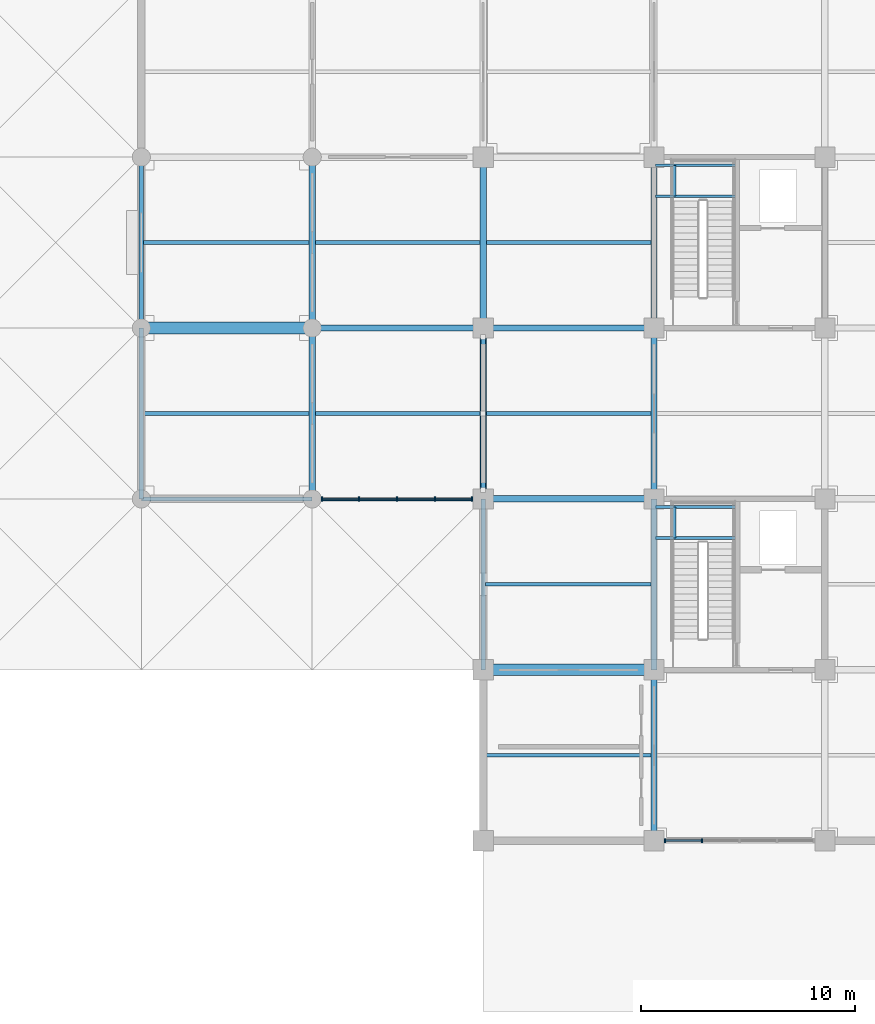
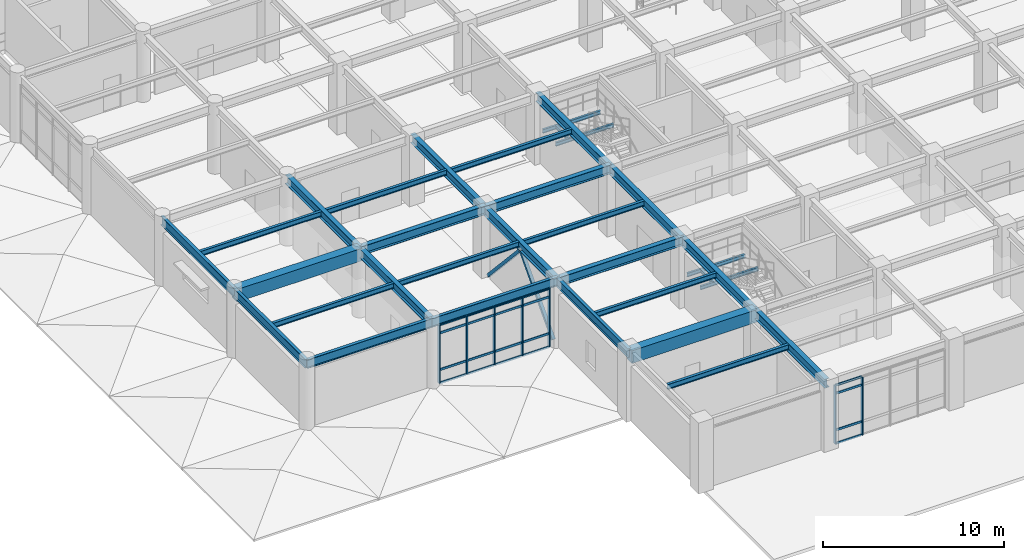
# One storey, part 8 of 109: 32 beams, 29 members, 2 elements without a shape of their own.
"""IFC4 building model written with IfcOpenShell, lengths in metres."""

from ifc_helpers import new_model, si_unit, direction, frame, origin, origin_2d, place, context, subcontext, project, spatial, rectangle, hollow_rectangle, i_section, extrude, material, layer, layer_set, material_profile, profile_set, type_object, element, aggregate, save


model = new_model("IFC4")

# Units and contexts
model_context = context("Model", 3, precision=1e-05, world=origin(), true_north=direction((0.0, 1.0)))
body_context = subcontext(model_context, "Body", "Model", "MODEL_VIEW")
ifc_project = project(units=[si_unit("LENGTHUNIT", "METRE"), si_unit("AREAUNIT", "SQUARE_METRE"), si_unit("VOLUMEUNIT", "CUBIC_METRE"), si_unit("PLANEANGLEUNIT", "RADIAN"), si_unit("MASSUNIT", "GRAM", prefix="KILO")], contexts=[model_context])

# Site, building, storey
site_placement = place(None, origin())
site = spatial("IfcSite", under=ifc_project, at=site_placement, CompositionType="ELEMENT")
building_placement = place(site_placement, origin())
building = spatial("IfcBuilding", under=site, at=building_placement, Name="Haebicheon Civic Stadium", CompositionType="ELEMENT")
storey_placement = place(building_placement, frame((0.0, 0.0, 9.60009765625)))
storey = spatial("IfcBuildingStorey", under=building, at=storey_placement, Name="L03", CompositionType="ELEMENT", Elevation=9.60009765625)

# Beams
ifc_material_1 = material(Name="Concrete C40/50", Category="concrete")
ifc_material_profile_1 = material_profile(ifc_material_1, rectangle(XDim=0.550048828125, YDim=0.85009765625, at=origin_2d()), Name="RC-BM-550x850")
ifc_profile_set_1 = profile_set([ifc_material_profile_1], Name="Concrete C40/50")
beam_type_1 = type_object("IfcBeamType", Name="BM-RC-550x850", PredefinedType="BEAM", material=ifc_profile_set_1)
for number, where, z_axis, x_axis, name in (
    (1, (8.0, 56.0, 4.15478515625), (1.0, 0.0, 0.0), (0.0, 1.0, 0.0), "L03 beam H/2-3"),
    (2, (24.0, 40.0, 4.114990234375), (1.0, 0.0, 0.0), (0.0, 1.0, 0.0), "L03 beam F/4-5"),
):
    element("IfcBeam", number, at=place(storey_placement, frame(where, z_axis=z_axis, x_axis=x_axis)), inside=storey, type_object=beam_type_1, material=ifc_profile_set_1, Name=name, PredefinedType="BEAM", context=body_context, shape_type="SweptSolid", body=[
        extrude(rectangle(XDim=0.550048828125, YDim=0.85009765625, at=origin_2d()), origin(), (0.0, 0.0, 1.0), 8.0),
    ])
ifc_material_2 = material(Name="Steel SM355 (S355)", Category="steel")
ifc_material_profile_2 = material_profile(ifc_material_2, i_section(OverallWidth=0.300048828125, OverallDepth=0.60009765625, WebThickness=0.011962890625, FlangeThickness=0.02001953125, at=origin_2d()), Name="H-600x300x12x20")
ifc_profile_set_2 = profile_set([ifc_material_profile_2], Name="Steel SM355 (S355)")
beam_type_2 = type_object("IfcBeamType", Name="BM-ST-H600A", PredefinedType="BEAM", material=ifc_profile_set_2)
for number, where, z_axis, x_axis, name in (
    (3, (16.0, 48.0, 4.27978515625), (0.0, 1.0, 0.0), (-1.0, 0.0, 0.0), "L03 girder 3/G-H"),
    (4, (16.0, 56.0, 4.27978515625), (0.0, 1.0, 0.0), (-1.0, 0.0, 0.0), "L03 girder 3/H-J"),
    (5, (24.0, 48.0, 4.239990234375), (0.0, 1.0, 0.0), (-1.0, 0.0, 0.0), "L03 girder 4/G-H"),
    (6, (24.0, 56.0, 4.239990234375), (0.0, 1.0, 0.0), (-1.0, 0.0, 0.0), "L03 girder 4/H-J"),
    (7, (32.0, 32.0, 4.239990234375), (0.0, 1.0, 0.0), (-1.0, 0.0, 0.0), "L03 girder 5/E-F"),
    (8, (32.0, 40.0, 4.239990234375), (0.0, 1.0, 0.0), (-1.0, 0.0, 0.0), "L03 girder 5/F-G"),
    (9, (32.0, 48.0, 4.239990234375), (0.0, 1.0, 0.0), (-1.0, 0.0, 0.0), "L03 girder 5/G-H"),
    (10, (32.0, 56.0, 4.239990234375), (0.0, 1.0, 0.0), (-1.0, 0.0, 0.0), "L03 girder 5/H-J"),
    (11, (16.0, 56.0, 4.27978515625), (1.0, 0.0, 0.0), (0.0, 1.0, 0.0), "L03 beam H/3-4"),
    (12, (24.0, 48.0, 4.239990234375), (1.0, 0.0, 0.0), (0.0, 1.0, 0.0), "L03 beam G/4-5"),
    (13, (24.0, 56.0, 4.239990234375), (1.0, 0.0, 0.0), (0.0, 1.0, 0.0), "L03 beam H/4-5"),
):
    element("IfcBeam", number, at=place(storey_placement, frame(where, z_axis=z_axis, x_axis=x_axis)), inside=storey, type_object=beam_type_2, material=ifc_profile_set_2, Name=name, PredefinedType="BEAM", context=body_context, shape_type="SweptSolid", body=[
        extrude(i_section(OverallWidth=0.300048828125, OverallDepth=0.60009765625, WebThickness=0.011962890625, FlangeThickness=0.02001953125, at=origin_2d()), origin(), (0.0, 0.0, 1.0), 8.0),
    ])

# Members
ifc_material_3 = material(Name="Steel SM355 (S355)", Category="steel")
ifc_material_profile_3 = material_profile(ifc_material_3, hollow_rectangle(XDim=0.199951171875, YDim=0.199951171875, WallThickness=0.009033203125, at=origin_2d()), Name="RHS-200x200x9.0")
ifc_profile_set_3 = profile_set([ifc_material_profile_3], Name="Steel SM355 (S355)")
member_type_1 = type_object("IfcMemberType", Name="BRC-RHS200", PredefinedType="BRACE", material=ifc_profile_set_3)
for number, where, z_axis, x_axis, name in (
    (14, (24.0, 48.419921875, 0.039794921875), (0.0, 0.676231908598, 0.736688812046), (-1.0, 0.0, 0.0), "BR200 chevron brace L03 03-06 A"),
    (15, (24.0, 55.580078125, 0.039794921875), (0.0, -0.676231908598, 0.736688812046), (1.0, 0.0, 0.0), "BR200 chevron brace L03 03-06 B"),
):
    element("IfcMember", number, at=place(storey_placement, frame(where, z_axis=z_axis, x_axis=x_axis)), inside=storey, type_object=member_type_1, material=ifc_profile_set_3, Name=name, PredefinedType="BRACE", context=body_context, shape_type="SweptSolid", body=[
        extrude(hollow_rectangle(XDim=0.199951171875, YDim=0.199951171875, WallThickness=0.009033203125, at=origin_2d()), origin(), (0.0, 0.0, 1.0), 5.294189453125),
    ])

# Curtain wall, members
ifc_material_4 = material(Name="Anodised aluminium and laminated glass", Category="aluminium")
ifc_layer_1 = layer(ifc_material_4, 0.179931640625, Name="Anodised aluminium and laminated glass")
ifc_layer_set_1 = layer_set([ifc_layer_1], Name="Anodised aluminium and laminated glass")
curtain_wall_type_1 = type_object("IfcCurtainWallType", Name="CW-7100x3930", PredefinedType="NOTDEFINED", material=ifc_layer_set_1)
curtain_wall_1_placement = place(storey_placement, origin())
curtain_wall_1 = element("IfcCurtainWall", 16, at=curtain_wall_1_placement, inside=storey, type_object=curtain_wall_type_1, material=ifc_layer_set_1, Name="L03 unitised curtain wall 072", PredefinedType="NOTDEFINED")
ifc_material_5 = material(Name="Anodised aluminium 6063-T6", Category="aluminium")
ifc_material_profile_4 = material_profile(ifc_material_5, rectangle(XDim=0.070068359375, YDim=0.199951171875, at=origin_2d()), Name="ALU-MULL-70x200")
ifc_profile_set_4 = profile_set([ifc_material_profile_4], Name="Anodised aluminium 6063-T6")
member_type_2 = type_object("IfcMemberType", Name="CWM-200x70", PredefinedType="MULLION", material=ifc_profile_set_4)
member_1_placement = place(storey_placement, frame((16.4599609375, 48.0, 0.0), z_axis=(0.0, 0.0, 1.0), x_axis=(1.0, 0.0, 0.0)))
member_1 = element("IfcMember", 17, at=member_1_placement, type_object=member_type_2, material=ifc_profile_set_4, Name="CW-L03-072 vertical mullion 1", PredefinedType="MULLION", context=body_context, shape_type="SweptSolid", body=[
    extrude(rectangle(XDim=0.070068359375, YDim=0.199951171875, at=origin_2d()), origin(), (0.0, 0.0, 1.0), 3.929931640625),
])
member_2_placement = place(storey_placement, frame((18.199951171875, 48.0, 0.0), z_axis=(0.0, 0.0, 1.0), x_axis=(1.0, 0.0, 0.0)))
member_2 = element("IfcMember", 18, at=member_2_placement, type_object=member_type_2, material=ifc_profile_set_4, Name="CW-L03-072 vertical mullion 2", PredefinedType="MULLION", context=body_context, shape_type="SweptSolid", body=[
    extrude(rectangle(XDim=0.070068359375, YDim=0.199951171875, at=origin_2d()), origin(), (0.0, 0.0, 1.0), 3.929931640625),
])
member_3_placement = place(storey_placement, frame((19.97509765625, 48.0, 0.0), z_axis=(0.0, 0.0, 1.0), x_axis=(1.0, 0.0, 0.0)))
member_3 = element("IfcMember", 19, at=member_3_placement, type_object=member_type_2, material=ifc_profile_set_4, Name="CW-L03-072 vertical mullion 3", PredefinedType="MULLION", context=body_context, shape_type="SweptSolid", body=[
    extrude(rectangle(XDim=0.070068359375, YDim=0.199951171875, at=origin_2d()), origin(), (0.0, 0.0, 1.0), 3.929931640625),
])
member_4_placement = place(storey_placement, frame((21.75, 48.0, 0.0), z_axis=(0.0, 0.0, 1.0), x_axis=(1.0, 0.0, 0.0)))
member_4 = element("IfcMember", 20, at=member_4_placement, type_object=member_type_2, material=ifc_profile_set_4, Name="CW-L03-072 vertical mullion 4", PredefinedType="MULLION", context=body_context, shape_type="SweptSolid", body=[
    extrude(rectangle(XDim=0.070068359375, YDim=0.199951171875, at=origin_2d()), origin(), (0.0, 0.0, 1.0), 3.929931640625),
])
member_5_placement = place(storey_placement, frame((23.489990234375, 48.0, 0.0), z_axis=(0.0, 0.0, 1.0), x_axis=(1.0, 0.0, 0.0)))
member_5 = element("IfcMember", 21, at=member_5_placement, type_object=member_type_2, material=ifc_profile_set_4, Name="CW-L03-072 vertical mullion 5", PredefinedType="MULLION", context=body_context, shape_type="SweptSolid", body=[
    extrude(rectangle(XDim=0.070068359375, YDim=0.199951171875, at=origin_2d()), origin(), (0.0, 0.0, 1.0), 3.929931640625),
])

ifc_material_6 = material(Name="Anodised aluminium and laminated glass", Category="aluminium")
ifc_layer_2 = layer(ifc_material_6, 0.179931640625, Name="Anodised aluminium and laminated glass")
ifc_layer_set_2 = layer_set([ifc_layer_2], Name="Anodised aluminium and laminated glass")
curtain_wall_type_2 = type_object("IfcCurtainWallType", Name="CW-7050x3930", PredefinedType="NOTDEFINED", material=ifc_layer_set_2)
curtain_wall_2_placement = place(storey_placement, origin())
curtain_wall_2 = element("IfcCurtainWall", 22, at=curtain_wall_2_placement, inside=storey, type_object=curtain_wall_type_2, material=ifc_layer_set_2, Name="L03 unitised curtain wall 074", PredefinedType="NOTDEFINED")
member_6_placement = place(storey_placement, frame((32.510009765625, 32.0, 0.0), z_axis=(0.0, 0.0, 1.0), x_axis=(1.0, 0.0, 0.0)))
member_6 = element("IfcMember", 23, at=member_6_placement, type_object=member_type_2, material=ifc_profile_set_4, Name="CW-L03-074 vertical mullion 1", PredefinedType="MULLION", context=body_context, shape_type="SweptSolid", body=[
    extrude(rectangle(XDim=0.070068359375, YDim=0.199951171875, at=origin_2d()), origin(), (0.0, 0.0, 1.0), 3.929931640625),
])
member_7_placement = place(storey_placement, frame((34.237060546875, 32.0, 0.0), z_axis=(0.0, 0.0, 1.0), x_axis=(1.0, 0.0, 0.0)))
member_7 = element("IfcMember", 24, at=member_7_placement, type_object=member_type_2, material=ifc_profile_set_4, Name="CW-L03-074 vertical mullion 2", PredefinedType="MULLION", context=body_context, shape_type="SweptSolid", body=[
    extrude(rectangle(XDim=0.070068359375, YDim=0.199951171875, at=origin_2d()), origin(), (0.0, 0.0, 1.0), 3.929931640625),
])

# Member
ifc_material_7 = material(Name="Anodised aluminium 6063-T6", Category="aluminium")
ifc_material_profile_5 = material_profile(ifc_material_7, rectangle(XDim=0.070068359375, YDim=0.14990234375, at=origin_2d()), Name="ALU-TRAN-70x150")
ifc_profile_set_5 = profile_set([ifc_material_profile_5], Name="Anodised aluminium 6063-T6")
member_type_3 = type_object("IfcMemberType", Name="CWT-150x70", PredefinedType="NOTDEFINED", material=ifc_profile_set_5)
member_8_placement = place(storey_placement, frame((16.4951171875, 48.0, 0.0), z_axis=(1.0, 0.0, 0.0), x_axis=(0.0, 1.0, 0.0)))
member_8 = element("IfcMember", 25, at=member_8_placement, type_object=member_type_3, material=ifc_profile_set_5, Name="CW-L03-072 horizontal transom 1.1", ObjectType="TRANSOM", PredefinedType="USERDEFINED", context=body_context, shape_type="SweptSolid", body=[
    extrude(rectangle(XDim=0.070068359375, YDim=0.14990234375, at=origin_2d()), origin(), (0.0, 0.0, 1.0), 1.669921875),
])

member_9_placement = place(storey_placement, frame((16.4951171875, 48.0, 0.89990234375), z_axis=(1.0, 0.0, 0.0), x_axis=(0.0, 1.0, 0.0)))
member_9 = element("IfcMember", 26, at=member_9_placement, type_object=member_type_3, material=ifc_profile_set_5, Name="CW-L03-072 horizontal transom 1.2", ObjectType="TRANSOM", PredefinedType="USERDEFINED", context=body_context, shape_type="SweptSolid", body=[
    extrude(rectangle(XDim=0.070068359375, YDim=0.14990234375, at=origin_2d()), origin(), (0.0, 0.0, 1.0), 1.669921875),
])

member_10_placement = place(storey_placement, frame((16.4951171875, 48.0, 3.3798828125), z_axis=(1.0, 0.0, 0.0), x_axis=(0.0, 1.0, 0.0)))
member_10 = element("IfcMember", 27, at=member_10_placement, type_object=member_type_3, material=ifc_profile_set_5, Name="CW-L03-072 horizontal transom 1.3", ObjectType="TRANSOM", PredefinedType="USERDEFINED", context=body_context, shape_type="SweptSolid", body=[
    extrude(rectangle(XDim=0.070068359375, YDim=0.14990234375, at=origin_2d()), origin(), (0.0, 0.0, 1.0), 1.669921875),
])

member_11_placement = place(storey_placement, frame((16.4951171875, 48.0, 3.929931640625), z_axis=(1.0, 0.0, 0.0), x_axis=(0.0, 1.0, 0.0)))
member_11 = element("IfcMember", 28, at=member_11_placement, type_object=member_type_3, material=ifc_profile_set_5, Name="CW-L03-072 horizontal transom 1.4", ObjectType="TRANSOM", PredefinedType="USERDEFINED", context=body_context, shape_type="SweptSolid", body=[
    extrude(rectangle(XDim=0.070068359375, YDim=0.14990234375, at=origin_2d()), origin(), (0.0, 0.0, 1.0), 1.669921875),
])

member_12_placement = place(storey_placement, frame((18.235107421875, 48.0, 0.0), z_axis=(1.0, 0.0, 0.0), x_axis=(0.0, 1.0, 0.0)))
member_12 = element("IfcMember", 29, at=member_12_placement, type_object=member_type_3, material=ifc_profile_set_5, Name="CW-L03-072 horizontal transom 2.1", ObjectType="TRANSOM", PredefinedType="USERDEFINED", context=body_context, shape_type="SweptSolid", body=[
    extrude(rectangle(XDim=0.070068359375, YDim=0.14990234375, at=origin_2d()), origin(), (0.0, 0.0, 1.0), 1.704833984375),
])

member_13_placement = place(storey_placement, frame((18.235107421875, 48.0, 0.89990234375), z_axis=(1.0, 0.0, 0.0), x_axis=(0.0, 1.0, 0.0)))
member_13 = element("IfcMember", 30, at=member_13_placement, type_object=member_type_3, material=ifc_profile_set_5, Name="CW-L03-072 horizontal transom 2.2", ObjectType="TRANSOM", PredefinedType="USERDEFINED", context=body_context, shape_type="SweptSolid", body=[
    extrude(rectangle(XDim=0.070068359375, YDim=0.14990234375, at=origin_2d()), origin(), (0.0, 0.0, 1.0), 1.704833984375),
])

member_14_placement = place(storey_placement, frame((18.235107421875, 48.0, 3.3798828125), z_axis=(1.0, 0.0, 0.0), x_axis=(0.0, 1.0, 0.0)))
member_14 = element("IfcMember", 31, at=member_14_placement, type_object=member_type_3, material=ifc_profile_set_5, Name="CW-L03-072 horizontal transom 2.3", ObjectType="TRANSOM", PredefinedType="USERDEFINED", context=body_context, shape_type="SweptSolid", body=[
    extrude(rectangle(XDim=0.070068359375, YDim=0.14990234375, at=origin_2d()), origin(), (0.0, 0.0, 1.0), 1.704833984375),
])

member_15_placement = place(storey_placement, frame((18.235107421875, 48.0, 3.929931640625), z_axis=(1.0, 0.0, 0.0), x_axis=(0.0, 1.0, 0.0)))
member_15 = element("IfcMember", 32, at=member_15_placement, type_object=member_type_3, material=ifc_profile_set_5, Name="CW-L03-072 horizontal transom 2.4", ObjectType="TRANSOM", PredefinedType="USERDEFINED", context=body_context, shape_type="SweptSolid", body=[
    extrude(rectangle(XDim=0.070068359375, YDim=0.14990234375, at=origin_2d()), origin(), (0.0, 0.0, 1.0), 1.704833984375),
])

member_16_placement = place(storey_placement, frame((20.010009765625, 48.0, 0.0), z_axis=(1.0, 0.0, 0.0), x_axis=(0.0, 1.0, 0.0)))
member_16 = element("IfcMember", 33, at=member_16_placement, type_object=member_type_3, material=ifc_profile_set_5, Name="CW-L03-072 horizontal transom 3.1", ObjectType="TRANSOM", PredefinedType="USERDEFINED", context=body_context, shape_type="SweptSolid", body=[
    extrude(rectangle(XDim=0.070068359375, YDim=0.14990234375, at=origin_2d()), origin(), (0.0, 0.0, 1.0), 1.705078125),
])

member_17_placement = place(storey_placement, frame((20.010009765625, 48.0, 0.89990234375), z_axis=(1.0, 0.0, 0.0), x_axis=(0.0, 1.0, 0.0)))
member_17 = element("IfcMember", 34, at=member_17_placement, type_object=member_type_3, material=ifc_profile_set_5, Name="CW-L03-072 horizontal transom 3.2", ObjectType="TRANSOM", PredefinedType="USERDEFINED", context=body_context, shape_type="SweptSolid", body=[
    extrude(rectangle(XDim=0.070068359375, YDim=0.14990234375, at=origin_2d()), origin(), (0.0, 0.0, 1.0), 1.705078125),
])

member_18_placement = place(storey_placement, frame((20.010009765625, 48.0, 3.3798828125), z_axis=(1.0, 0.0, 0.0), x_axis=(0.0, 1.0, 0.0)))
member_18 = element("IfcMember", 35, at=member_18_placement, type_object=member_type_3, material=ifc_profile_set_5, Name="CW-L03-072 horizontal transom 3.3", ObjectType="TRANSOM", PredefinedType="USERDEFINED", context=body_context, shape_type="SweptSolid", body=[
    extrude(rectangle(XDim=0.070068359375, YDim=0.14990234375, at=origin_2d()), origin(), (0.0, 0.0, 1.0), 1.705078125),
])

member_19_placement = place(storey_placement, frame((20.010009765625, 48.0, 3.929931640625), z_axis=(1.0, 0.0, 0.0), x_axis=(0.0, 1.0, 0.0)))
member_19 = element("IfcMember", 36, at=member_19_placement, type_object=member_type_3, material=ifc_profile_set_5, Name="CW-L03-072 horizontal transom 3.4", ObjectType="TRANSOM", PredefinedType="USERDEFINED", context=body_context, shape_type="SweptSolid", body=[
    extrude(rectangle(XDim=0.070068359375, YDim=0.14990234375, at=origin_2d()), origin(), (0.0, 0.0, 1.0), 1.705078125),
])

member_20_placement = place(storey_placement, frame((21.784912109375, 48.0, 0.0), z_axis=(1.0, 0.0, 0.0), x_axis=(0.0, 1.0, 0.0)))
member_20 = element("IfcMember", 37, at=member_20_placement, type_object=member_type_3, material=ifc_profile_set_5, Name="CW-L03-072 horizontal transom 4.1", ObjectType="TRANSOM", PredefinedType="USERDEFINED", context=body_context, shape_type="SweptSolid", body=[
    extrude(rectangle(XDim=0.070068359375, YDim=0.14990234375, at=origin_2d()), origin(), (0.0, 0.0, 1.0), 1.670166015625),
])

member_21_placement = place(storey_placement, frame((21.784912109375, 48.0, 0.89990234375), z_axis=(1.0, 0.0, 0.0), x_axis=(0.0, 1.0, 0.0)))
member_21 = element("IfcMember", 38, at=member_21_placement, type_object=member_type_3, material=ifc_profile_set_5, Name="CW-L03-072 horizontal transom 4.2", ObjectType="TRANSOM", PredefinedType="USERDEFINED", context=body_context, shape_type="SweptSolid", body=[
    extrude(rectangle(XDim=0.070068359375, YDim=0.14990234375, at=origin_2d()), origin(), (0.0, 0.0, 1.0), 1.670166015625),
])

member_22_placement = place(storey_placement, frame((21.784912109375, 48.0, 3.3798828125), z_axis=(1.0, 0.0, 0.0), x_axis=(0.0, 1.0, 0.0)))
member_22 = element("IfcMember", 39, at=member_22_placement, type_object=member_type_3, material=ifc_profile_set_5, Name="CW-L03-072 horizontal transom 4.3", ObjectType="TRANSOM", PredefinedType="USERDEFINED", context=body_context, shape_type="SweptSolid", body=[
    extrude(rectangle(XDim=0.070068359375, YDim=0.14990234375, at=origin_2d()), origin(), (0.0, 0.0, 1.0), 1.670166015625),
])

member_23_placement = place(storey_placement, frame((21.784912109375, 48.0, 3.929931640625), z_axis=(1.0, 0.0, 0.0), x_axis=(0.0, 1.0, 0.0)))
member_23 = element("IfcMember", 40, at=member_23_placement, type_object=member_type_3, material=ifc_profile_set_5, Name="CW-L03-072 horizontal transom 4.4", ObjectType="TRANSOM", PredefinedType="USERDEFINED", context=body_context, shape_type="SweptSolid", body=[
    extrude(rectangle(XDim=0.070068359375, YDim=0.14990234375, at=origin_2d()), origin(), (0.0, 0.0, 1.0), 1.670166015625),
])

aggregate(curtain_wall_1, [member_1, member_2, member_3, member_4, member_5, member_8, member_9, member_10, member_11, member_12, member_13, member_14, member_15, member_16, member_17, member_18, member_19, member_20, member_21, member_22, member_23])

member_24_placement = place(storey_placement, frame((32.544921875, 32.0, 0.0), z_axis=(1.0, 0.0, 0.0), x_axis=(0.0, 1.0, 0.0)))
member_24 = element("IfcMember", 41, at=member_24_placement, type_object=member_type_3, material=ifc_profile_set_5, Name="CW-L03-074 horizontal transom 1.1", ObjectType="TRANSOM", PredefinedType="USERDEFINED", context=body_context, shape_type="SweptSolid", body=[
    extrude(rectangle(XDim=0.070068359375, YDim=0.14990234375, at=origin_2d()), origin(), (0.0, 0.0, 1.0), 1.656982421875),
])

member_25_placement = place(storey_placement, frame((32.544921875, 32.0, 0.89990234375), z_axis=(1.0, 0.0, 0.0), x_axis=(0.0, 1.0, 0.0)))
member_25 = element("IfcMember", 42, at=member_25_placement, type_object=member_type_3, material=ifc_profile_set_5, Name="CW-L03-074 horizontal transom 1.2", ObjectType="TRANSOM", PredefinedType="USERDEFINED", context=body_context, shape_type="SweptSolid", body=[
    extrude(rectangle(XDim=0.070068359375, YDim=0.14990234375, at=origin_2d()), origin(), (0.0, 0.0, 1.0), 1.656982421875),
])

member_26_placement = place(storey_placement, frame((32.544921875, 32.0, 3.3798828125), z_axis=(1.0, 0.0, 0.0), x_axis=(0.0, 1.0, 0.0)))
member_26 = element("IfcMember", 43, at=member_26_placement, type_object=member_type_3, material=ifc_profile_set_5, Name="CW-L03-074 horizontal transom 1.3", ObjectType="TRANSOM", PredefinedType="USERDEFINED", context=body_context, shape_type="SweptSolid", body=[
    extrude(rectangle(XDim=0.070068359375, YDim=0.14990234375, at=origin_2d()), origin(), (0.0, 0.0, 1.0), 1.656982421875),
])

member_27_placement = place(storey_placement, frame((32.544921875, 32.0, 3.929931640625), z_axis=(1.0, 0.0, 0.0), x_axis=(0.0, 1.0, 0.0)))
member_27 = element("IfcMember", 44, at=member_27_placement, type_object=member_type_3, material=ifc_profile_set_5, Name="CW-L03-074 horizontal transom 1.4", ObjectType="TRANSOM", PredefinedType="USERDEFINED", context=body_context, shape_type="SweptSolid", body=[
    extrude(rectangle(XDim=0.070068359375, YDim=0.14990234375, at=origin_2d()), origin(), (0.0, 0.0, 1.0), 1.656982421875),
])

aggregate(curtain_wall_2, [member_6, member_7, member_24, member_25, member_26, member_27])

# Beams
ifc_material_8 = material(Name="Steel SM355 (S355)", Category="steel")
ifc_material_profile_6 = material_profile(ifc_material_8, i_section(OverallWidth=0.125, OverallDepth=0.25, WebThickness=0.006103515625, FlangeThickness=0.009033203125, at=origin_2d()), Name="H-250x125x6x9")
ifc_profile_set_6 = profile_set([ifc_material_profile_6], Name="Steel SM355 (S355)")
beam_type_3 = type_object("IfcBeamType", Name="JST-ST-H250", PredefinedType="JOIST", material=ifc_profile_set_6)
for number, where, z_axis, x_axis, name in (
    (45, (32.080078125, 46.169921875, 2.072021484375), (1.0, 0.0, 0.0), (0.0, 1.0, 0.0), "KC-01 L03 stair half-landing front trimmer beam"),
    (46, (32.080078125, 47.6201171875, 2.072021484375), (1.0, 0.0, 0.0), (0.0, 1.0, 0.0), "KC-01 L03 stair half-landing rear trimmer beam"),
):
    element("IfcBeam", number, at=place(storey_placement, frame(where, z_axis=z_axis, x_axis=x_axis)), inside=storey, type_object=beam_type_3, material=ifc_profile_set_6, Name=name, PredefinedType="JOIST", context=body_context, shape_type="SweptSolid", body=[
        extrude(i_section(OverallWidth=0.125, OverallDepth=0.25, WebThickness=0.006103515625, FlangeThickness=0.009033203125, at=origin_2d()), origin(), (0.0, 0.0, 1.0), 3.719970703125),
    ])
beam_1_placement = place(storey_placement, frame((32.9599609375, 46.169921875, 2.072021484375), z_axis=(0.0, 1.0, 0.0), x_axis=(-1.0, 0.0, 0.0)))
element("IfcBeam", 47, at=beam_1_placement, inside=storey, type_object=beam_type_3, material=ifc_profile_set_6, Name="KC-01 L03 stair half-landing transverse tie beam", PredefinedType="JOIST", context=body_context, shape_type="SweptSolid", body=[
    extrude(i_section(OverallWidth=0.125, OverallDepth=0.25, WebThickness=0.006103515625, FlangeThickness=0.009033203125, at=origin_2d()), origin(), (0.0, 0.0, 1.0), 1.4501953125),
])
for number, where, z_axis, x_axis, name in (
    (48, (32.080078125, 62.169921875, 2.072021484375), (1.0, 0.0, 0.0), (0.0, 1.0, 0.0), "KC-02 L03 stair half-landing front trimmer beam"),
    (49, (32.080078125, 63.6201171875, 2.072021484375), (1.0, 0.0, 0.0), (0.0, 1.0, 0.0), "KC-02 L03 stair half-landing rear trimmer beam"),
):
    element("IfcBeam", number, at=place(storey_placement, frame(where, z_axis=z_axis, x_axis=x_axis)), inside=storey, type_object=beam_type_3, material=ifc_profile_set_6, Name=name, PredefinedType="JOIST", context=body_context, shape_type="SweptSolid", body=[
        extrude(i_section(OverallWidth=0.125, OverallDepth=0.25, WebThickness=0.006103515625, FlangeThickness=0.009033203125, at=origin_2d()), origin(), (0.0, 0.0, 1.0), 3.719970703125),
    ])
beam_2_placement = place(storey_placement, frame((32.9599609375, 62.169921875, 2.072021484375), z_axis=(0.0, 1.0, 0.0), x_axis=(-1.0, 0.0, 0.0)))
element("IfcBeam", 50, at=beam_2_placement, inside=storey, type_object=beam_type_3, material=ifc_profile_set_6, Name="KC-02 L03 stair half-landing transverse tie beam", PredefinedType="JOIST", context=body_context, shape_type="SweptSolid", body=[
    extrude(i_section(OverallWidth=0.125, OverallDepth=0.25, WebThickness=0.006103515625, FlangeThickness=0.009033203125, at=origin_2d()), origin(), (0.0, 0.0, 1.0), 1.4501953125),
])
ifc_material_9 = material(Name="Steel SM355 (S355)", Category="steel")
ifc_material_profile_7 = material_profile(ifc_material_9, i_section(OverallWidth=0.175048828125, OverallDepth=0.35009765625, WebThickness=0.007080078125, FlangeThickness=0.010986328125, at=origin_2d()), Name="H-350x175x7x11")
ifc_profile_set_7 = profile_set([ifc_material_profile_7], Name="Steel SM355 (S355)")
beam_type_4 = type_object("IfcBeamType", Name="JST-ST-H350", PredefinedType="JOIST", material=ifc_profile_set_7)
for number, where, z_axis, x_axis, name in (
    (51, (8.10009765625, 52.0, 4.40478515625), (1.0, 0.0, 0.0), (0.0, 1.0, 0.0), "L03 secondary joist 01-06"),
    (52, (8.10009765625, 60.0, 4.40478515625), (1.0, 0.0, 0.0), (0.0, 1.0, 0.0), "L03 secondary joist 01-07"),
):
    element("IfcBeam", number, at=place(storey_placement, frame(where, z_axis=z_axis, x_axis=x_axis)), inside=storey, type_object=beam_type_4, material=ifc_profile_set_7, Name=name, PredefinedType="JOIST", context=body_context, shape_type="SweptSolid", body=[
        extrude(i_section(OverallWidth=0.175048828125, OverallDepth=0.35009765625, WebThickness=0.007080078125, FlangeThickness=0.010986328125, at=origin_2d()), origin(), (0.0, 0.0, 1.0), 7.75),
    ])
for number, where, z_axis, x_axis, name in (
    (53, (16.14990234375, 52.0, 4.40478515625), (1.0, 0.0, 0.0), (0.0, 1.0, 0.0), "L03 secondary joist 02-06"),
    (54, (16.14990234375, 60.0, 4.40478515625), (1.0, 0.0, 0.0), (0.0, 1.0, 0.0), "L03 secondary joist 02-07"),
):
    element("IfcBeam", number, at=place(storey_placement, frame(where, z_axis=z_axis, x_axis=x_axis)), inside=storey, type_object=beam_type_4, material=ifc_profile_set_7, Name=name, PredefinedType="JOIST", context=body_context, shape_type="SweptSolid", body=[
        extrude(i_section(OverallWidth=0.175048828125, OverallDepth=0.35009765625, WebThickness=0.007080078125, FlangeThickness=0.010986328125, at=origin_2d()), origin(), (0.0, 0.0, 1.0), 7.7001953125),
    ])
for number, where, z_axis, x_axis, name in (
    (55, (24.10009765625, 36.0, 4.364990234375), (1.0, 0.0, 0.0), (0.0, 1.0, 0.0), "L03 secondary joist 03-04"),
    (56, (24.10009765625, 44.0, 4.364990234375), (1.0, 0.0, 0.0), (0.0, 1.0, 0.0), "L03 secondary joist 03-05"),
):
    element("IfcBeam", number, at=place(storey_placement, frame(where, z_axis=z_axis, x_axis=x_axis)), inside=storey, type_object=beam_type_4, material=ifc_profile_set_7, Name=name, PredefinedType="JOIST", context=body_context, shape_type="SweptSolid", body=[
        extrude(i_section(OverallWidth=0.175048828125, OverallDepth=0.35009765625, WebThickness=0.007080078125, FlangeThickness=0.010986328125, at=origin_2d()), origin(), (0.0, 0.0, 1.0), 7.75),
    ])
for number, where, z_axis, x_axis, name in (
    (57, (24.14990234375, 52.0, 4.364990234375), (1.0, 0.0, 0.0), (0.0, 1.0, 0.0), "L03 secondary joist 03-06"),
    (58, (24.14990234375, 60.0, 4.364990234375), (1.0, 0.0, 0.0), (0.0, 1.0, 0.0), "L03 secondary joist 03-07"),
):
    element("IfcBeam", number, at=place(storey_placement, frame(where, z_axis=z_axis, x_axis=x_axis)), inside=storey, type_object=beam_type_4, material=ifc_profile_set_7, Name=name, PredefinedType="JOIST", context=body_context, shape_type="SweptSolid", body=[
        extrude(i_section(OverallWidth=0.175048828125, OverallDepth=0.35009765625, WebThickness=0.007080078125, FlangeThickness=0.010986328125, at=origin_2d()), origin(), (0.0, 0.0, 1.0), 7.7001953125),
    ])
ifc_material_10 = material(Name="Steel SM355 (S355)", Category="steel")
ifc_material_profile_8 = material_profile(ifc_material_10, i_section(OverallWidth=0.199951171875, OverallDepth=0.60009765625, WebThickness=0.010986328125, FlangeThickness=0.01708984375, at=origin_2d()), Name="H-600x200x11x17")
ifc_profile_set_8 = profile_set([ifc_material_profile_8], Name="Steel SM355 (S355)")
beam_type_5 = type_object("IfcBeamType", Name="SPD-ST-H600B", PredefinedType="SPANDREL", material=ifc_profile_set_8)
for number, where, z_axis, x_axis, name in (
    (59, (8.0, 48.0, 4.27978515625), (0.0, 1.0, 0.0), (-1.0, 0.0, 0.0), "L03 girder 2/G-H"),
    (60, (8.0, 56.0, 4.27978515625), (0.0, 1.0, 0.0), (-1.0, 0.0, 0.0), "L03 girder 2/H-J"),
    (61, (24.0, 40.0, 4.239990234375), (0.0, 1.0, 0.0), (-1.0, 0.0, 0.0), "L03 girder 4/F-G"),
    (62, (8.0, 48.0, 4.27978515625), (1.0, 0.0, 0.0), (0.0, 1.0, 0.0), "L03 beam G/2-3"),
    (63, (16.0, 48.0, 4.27978515625), (1.0, 0.0, 0.0), (0.0, 1.0, 0.0), "L03 beam G/3-4"),
):
    element("IfcBeam", number, at=place(storey_placement, frame(where, z_axis=z_axis, x_axis=x_axis)), inside=storey, type_object=beam_type_5, material=ifc_profile_set_8, Name=name, PredefinedType="SPANDREL", context=body_context, shape_type="SweptSolid", body=[
        extrude(i_section(OverallWidth=0.199951171875, OverallDepth=0.60009765625, WebThickness=0.010986328125, FlangeThickness=0.01708984375, at=origin_2d()), origin(), (0.0, 0.0, 1.0), 8.0),
    ])

save(model, "model.ifc")
